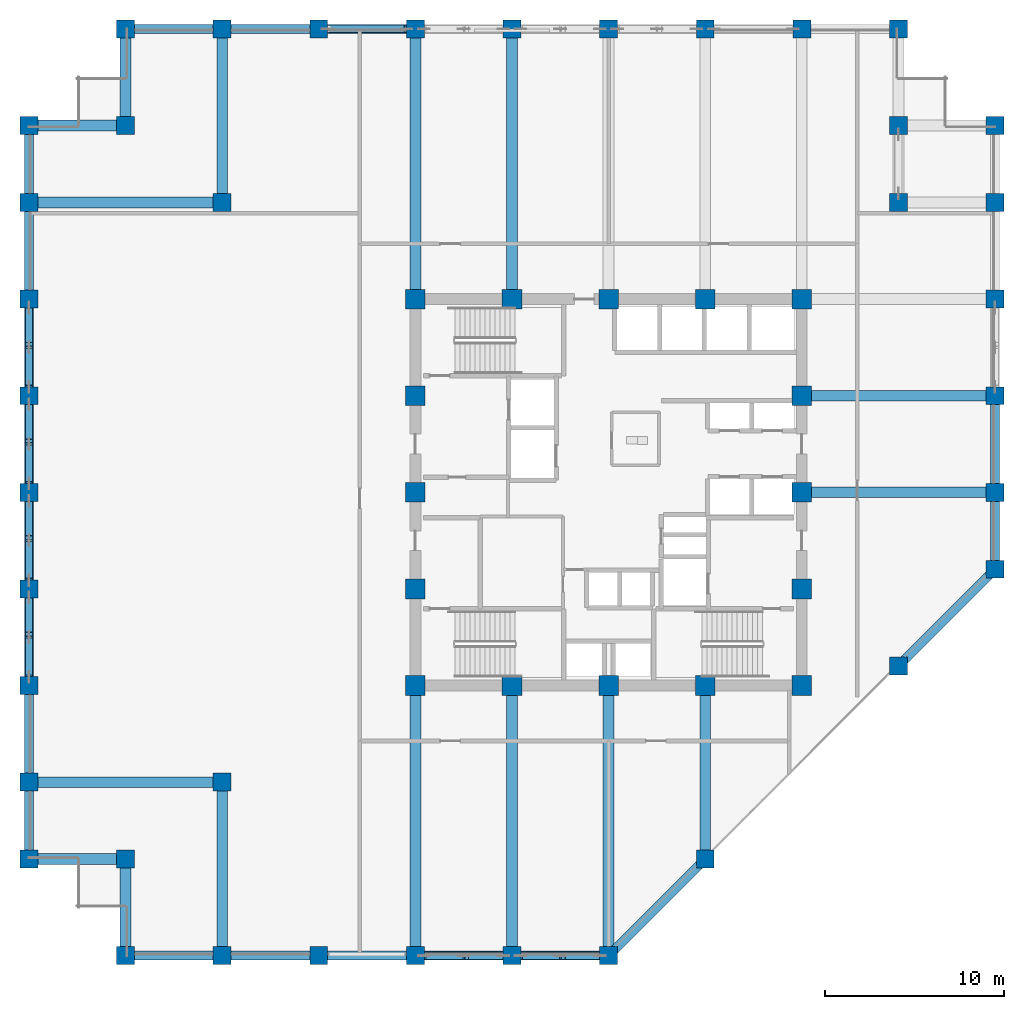
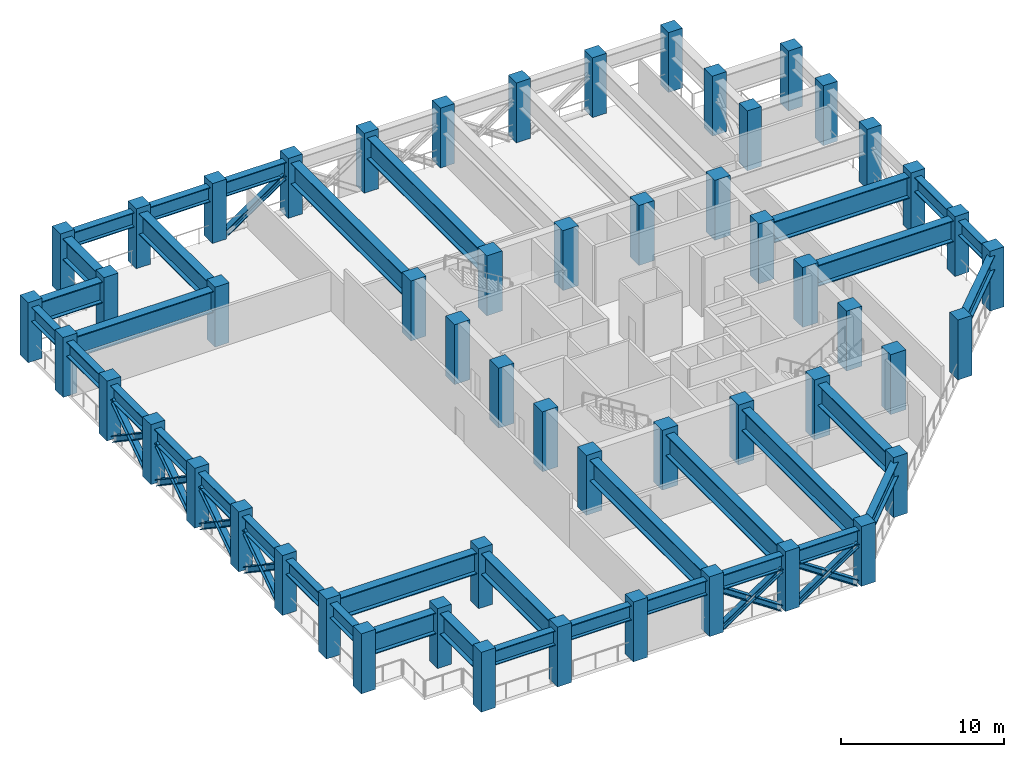
# One storey, part 1 of 12: 54 columns, 36 beams, 19 members.
"""IFC4 building model written with IfcOpenShell, lengths in metres."""

from ifc_helpers import new_model, si_unit, direction, frame, origin, origin_2d, place, context, subcontext, project, spatial, rectangle, i_section, extrude, material, material_profile, profile_set, type_object, element, save


model = new_model("IFC4")

# Units and contexts
model_context = context("Model", 3, precision=1e-05, world=origin(), true_north=direction((0.0, 1.0)))
body_context = subcontext(model_context, "Body", "Model", "MODEL_VIEW")
ifc_project = project(units=[si_unit("LENGTHUNIT", "METRE"), si_unit("AREAUNIT", "SQUARE_METRE"), si_unit("VOLUMEUNIT", "CUBIC_METRE"), si_unit("PLANEANGLEUNIT", "RADIAN"), si_unit("MASSUNIT", "GRAM", prefix="KILO")], contexts=[model_context])

# Site, building, storey
site_placement = place(None, origin())
site = spatial("IfcSite", under=ifc_project, at=site_placement, CompositionType="ELEMENT")
building_placement = place(site_placement, origin())
building = spatial("IfcBuilding", under=site, at=building_placement, Name="Surkhivell Harbour Commons", CompositionType="ELEMENT")
storey_placement = place(building_placement, frame((0.0, 0.0, 166.5)))
storey = spatial("IfcBuildingStorey", under=building, at=storey_placement, Name="L43", CompositionType="ELEMENT", Elevation=166.5)

# Columns
ifc_material_1 = material(Name="Concrete C60/75", Category="concrete")
ifc_material_profile_1 = material_profile(ifc_material_1, rectangle(XDim=1.10009765625, YDim=1.10009765625, at=origin_2d()), Name="RC-COL-1100x1100")
ifc_profile_set_1 = profile_set([ifc_material_profile_1], Name="Concrete C60/75")
column_type_1 = type_object("IfcColumnType", Name="COL-TUBE-Z2A", PredefinedType="COLUMN", material=ifc_profile_set_1)
for number, where, z_axis, x_axis, name in (
    (1, (-10.800048828125, -10.800048828125, 0.0), (0.0, 0.0, 1.0), (1.0, 0.0, 0.0), "L43 Column CT-2A (-10.8,-10.8)"),
    (2, (-10.800048828125, -5.39990234375, 0.0), (0.0, 0.0, 1.0), (1.0, 0.0, 0.0), "L43 Column CT-2A (-10.8,-5.4)"),
    (3, (-10.800048828125, 0.0, 0.0), (0.0, 0.0, 1.0), (1.0, 0.0, 0.0), "L43 Column CT-2A (-10.8,0.0)"),
    (4, (-10.800048828125, 5.39990234375, 0.0), (0.0, 0.0, 1.0), (1.0, 0.0, 0.0), "L43 Column CT-2A (-10.8,5.4)"),
    (5, (-10.800048828125, 10.800048828125, 0.0), (0.0, 0.0, 1.0), (1.0, 0.0, 0.0), "L43 Column CT-2A (-10.8,10.8)"),
    (6, (-5.39990234375, -10.800048828125, 0.0), (0.0, 0.0, 1.0), (1.0, 0.0, 0.0), "L43 Column CT-2A (-5.4,-10.8)"),
    (7, (-5.39990234375, 10.800048828125, 0.0), (0.0, 0.0, 1.0), (1.0, 0.0, 0.0), "L43 Column CT-2A (-5.4,10.8)"),
    (8, (0.0, -10.800048828125, 0.0), (0.0, 0.0, 1.0), (1.0, 0.0, 0.0), "L43 Column CT-2A (0.0,-10.8)"),
    (9, (0.0, 10.800048828125, 0.0), (0.0, 0.0, 1.0), (1.0, 0.0, 0.0), "L43 Column CT-2A (0.0,10.8)"),
    (10, (5.39990234375, -10.800048828125, 0.0), (0.0, 0.0, 1.0), (1.0, 0.0, 0.0), "L43 Column CT-2A (5.4,-10.8)"),
    (11, (5.39990234375, 10.800048828125, 0.0), (0.0, 0.0, 1.0), (1.0, 0.0, 0.0), "L43 Column CT-2A (5.4,10.8)"),
    (12, (10.800048828125, -10.800048828125, 0.0), (0.0, 0.0, 1.0), (1.0, 0.0, 0.0), "L43 Column CT-2A (10.8,-10.8)"),
    (13, (10.800048828125, -5.39990234375, 0.0), (0.0, 0.0, 1.0), (1.0, 0.0, 0.0), "L43 Column CT-2A (10.8,-5.4)"),
    (14, (10.800048828125, 0.0, 0.0), (0.0, 0.0, 1.0), (1.0, 0.0, 0.0), "L43 Column CT-2A (10.8,0.0)"),
    (15, (10.800048828125, 5.39990234375, 0.0), (0.0, 0.0, 1.0), (1.0, 0.0, 0.0), "L43 Column CT-2A (10.8,5.4)"),
    (16, (10.800048828125, 10.800048828125, 0.0), (0.0, 0.0, 1.0), (1.0, 0.0, 0.0), "L43 Column CT-2A (10.8,10.8)"),
):
    element("IfcColumn", number, at=place(storey_placement, frame(where, z_axis=z_axis, x_axis=x_axis)), inside=storey, type_object=column_type_1, Name=name, PredefinedType="COLUMN", context=body_context, shape_type="SweptSolid", body=[
        extrude(rectangle(XDim=1.10009765625, YDim=1.10009765625, at=origin_2d()), origin(), (0.0, 0.0, 1.0), 4.5),
    ])
ifc_material_profile_2 = material_profile(ifc_material_1, rectangle(XDim=1.0, YDim=1.0, at=origin_2d()), Name="RC-COL-1000x1000")
ifc_profile_set_2 = profile_set([ifc_material_profile_2], Name="Concrete C60/75")
column_type_2 = type_object("IfcColumnType", Name="COL-TUBE-Z2B", PredefinedType="COLUMN", material=ifc_profile_set_2)
for number, where, z_axis, x_axis, name in (
    (17, (-32.39990234375, -20.5, 0.0), (0.0, 0.0, 1.0), (1.0, 0.0, 0.0), "L43 Column CT-2B (-32.4,-20.5)"),
    (18, (-32.39990234375, -16.199951171875, 0.0), (0.0, 0.0, 1.0), (1.0, 0.0, 0.0), "L43 Column CT-2B (-32.4,-16.2)"),
    (19, (-32.39990234375, -10.800048828125, 0.0), (0.0, 0.0, 1.0), (1.0, 0.0, 0.0), "L43 Column CT-2B (-32.4,-10.8)"),
    (20, (-32.39990234375, -5.39990234375, 0.0), (0.0, 0.0, 1.0), (1.0, 0.0, 0.0), "L43 Column CT-2B (-32.4,-5.4)"),
    (21, (-32.39990234375, 0.0, 0.0), (0.0, 0.0, 1.0), (1.0, 0.0, 0.0), "L43 Column CT-2B (-32.4,0.0)"),
    (22, (-32.39990234375, 5.39990234375, 0.0), (0.0, 0.0, 1.0), (1.0, 0.0, 0.0), "L43 Column CT-2B (-32.4,5.4)"),
    (23, (-32.39990234375, 10.800048828125, 0.0), (0.0, 0.0, 1.0), (1.0, 0.0, 0.0), "L43 Column CT-2B (-32.4,10.8)"),
    (24, (-32.39990234375, 16.199951171875, 0.0), (0.0, 0.0, 1.0), (1.0, 0.0, 0.0), "L43 Column CT-2B (-32.4,16.2)"),
    (25, (-32.39990234375, 20.5, 0.0), (0.0, 0.0, 1.0), (1.0, 0.0, 0.0), "L43 Column CT-2B (-32.4,20.5)"),
    (26, (-27.0, -25.89990234375, 0.0), (0.0, 0.0, 1.0), (1.0, 0.0, 0.0), "L43 Column CT-2B (-27.0,-25.9)"),
    (27, (-27.0, -20.5, 0.0), (0.0, 0.0, 1.0), (1.0, 0.0, 0.0), "L43 Column CT-2B (-27.0,-20.5)"),
    (28, (-27.0, 20.5, 0.0), (0.0, 0.0, 1.0), (1.0, 0.0, 0.0), "L43 Column CT-2B (-27.0,20.5)"),
    (29, (-27.0, 25.89990234375, 0.0), (0.0, 0.0, 1.0), (1.0, 0.0, 0.0), "L43 Column CT-2B (-27.0,25.9)"),
    (30, (-21.60009765625, -25.89990234375, 0.0), (0.0, 0.0, 1.0), (1.0, 0.0, 0.0), "L43 Column CT-2B (-21.6,-25.9)"),
    (31, (-21.60009765625, -16.199951171875, 0.0), (0.0, 0.0, 1.0), (1.0, 0.0, 0.0), "L43 Column CT-2B (-21.6,-16.2)"),
    (32, (-21.60009765625, 16.199951171875, 0.0), (0.0, 0.0, 1.0), (1.0, 0.0, 0.0), "L43 Column CT-2B (-21.6,16.2)"),
    (33, (-21.60009765625, 25.89990234375, 0.0), (0.0, 0.0, 1.0), (1.0, 0.0, 0.0), "L43 Column CT-2B (-21.6,25.9)"),
    (34, (-16.199951171875, -25.89990234375, 0.0), (0.0, 0.0, 1.0), (1.0, 0.0, 0.0), "L43 Column CT-2B (-16.2,-25.9)"),
    (35, (-16.199951171875, 25.89990234375, 0.0), (0.0, 0.0, 1.0), (1.0, 0.0, 0.0), "L43 Column CT-2B (-16.2,25.9)"),
    (36, (-10.800048828125, -25.89990234375, 0.0), (0.0, 0.0, 1.0), (1.0, 0.0, 0.0), "L43 Column CT-2B (-10.8,-25.9)"),
    (37, (-10.800048828125, 25.89990234375, 0.0), (0.0, 0.0, 1.0), (1.0, 0.0, 0.0), "L43 Column CT-2B (-10.8,25.9)"),
    (38, (-5.39990234375, -25.89990234375, 0.0), (0.0, 0.0, 1.0), (1.0, 0.0, 0.0), "L43 Column CT-2B (-5.4,-25.9)"),
    (39, (-5.39990234375, 25.89990234375, 0.0), (0.0, 0.0, 1.0), (1.0, 0.0, 0.0), "L43 Column CT-2B (-5.4,25.9)"),
    (40, (0.0, -25.89990234375, 0.0), (0.0, 0.0, 1.0), (1.0, 0.0, 0.0), "L43 Column CT-2B (-0.0,-25.9)"),
    (41, (0.0, 25.89990234375, 0.0), (0.0, 0.0, 1.0), (1.0, 0.0, 0.0), "L43 Column CT-2B (-0.0,25.9)"),
    (42, (5.39990234375, -20.5, 0.0), (0.0, 0.0, 1.0), (1.0, 0.0, 0.0), "L43 Column CT-2B (5.4,-20.5)"),
    (43, (5.39990234375, 25.89990234375, 0.0), (0.0, 0.0, 1.0), (1.0, 0.0, 0.0), "L43 Column CT-2B (5.4,25.9)"),
    (44, (10.800048828125, 25.89990234375, 0.0), (0.0, 0.0, 1.0), (1.0, 0.0, 0.0), "L43 Column CT-2B (10.8,25.9)"),
    (45, (16.199951171875, -9.699951171875, 0.0), (0.0, 0.0, 1.0), (1.0, 0.0, 0.0), "L43 Column CT-2B (16.2,-9.7)"),
    (46, (16.199951171875, 16.199951171875, 0.0), (0.0, 0.0, 1.0), (1.0, 0.0, 0.0), "L43 Column CT-2B (16.2,16.2)"),
    (47, (16.199951171875, 20.5, 0.0), (0.0, 0.0, 1.0), (1.0, 0.0, 0.0), "L43 Column CT-2B (16.2,20.5)"),
    (48, (16.199951171875, 25.89990234375, 0.0), (0.0, 0.0, 1.0), (1.0, 0.0, 0.0), "L43 Column CT-2B (16.2,25.9)"),
    (49, (21.60009765625, -4.300048828125, 0.0), (0.0, 0.0, 1.0), (1.0, 0.0, 0.0), "L43 Column CT-2B (21.6,-4.3)"),
    (50, (21.60009765625, 0.0, 0.0), (0.0, 0.0, 1.0), (1.0, 0.0, 0.0), "L43 Column CT-2B (21.6,0.0)"),
    (51, (21.60009765625, 5.39990234375, 0.0), (0.0, 0.0, 1.0), (1.0, 0.0, 0.0), "L43 Column CT-2B (21.6,5.4)"),
    (52, (21.60009765625, 10.800048828125, 0.0), (0.0, 0.0, 1.0), (1.0, 0.0, 0.0), "L43 Column CT-2B (21.6,10.8)"),
    (53, (21.60009765625, 16.199951171875, 0.0), (0.0, 0.0, 1.0), (1.0, 0.0, 0.0), "L43 Column CT-2B (21.6,16.2)"),
    (54, (21.60009765625, 20.5, 0.0), (0.0, 0.0, 1.0), (1.0, 0.0, 0.0), "L43 Column CT-2B (21.6,20.5)"),
):
    element("IfcColumn", number, at=place(storey_placement, frame(where, z_axis=z_axis, x_axis=x_axis)), inside=storey, type_object=column_type_2, Name=name, PredefinedType="COLUMN", context=body_context, shape_type="SweptSolid", body=[
        extrude(rectangle(XDim=1.0, YDim=1.0, at=origin_2d()), origin(), (0.0, 0.0, 1.0), 4.5),
    ])

# Beams
ifc_material_2 = material(Name="Steel S460", Category="steel")
ifc_material_profile_3 = material_profile(ifc_material_2, i_section(OverallWidth=0.5, OverallDepth=1.10009765625, WebThickness=0.028076171875, FlangeThickness=0.054931640625, at=origin_2d()), Name="WPG1100x500x210")
ifc_profile_set_3 = profile_set([ifc_material_profile_3], Name="Steel S460")
beam_type_1 = type_object("IfcBeamType", Name="BM-BLT-1100", PredefinedType="BEAM", material=ifc_profile_set_3)
beam_1_placement = place(storey_placement, frame((-32.39990234375, -20.5, 3.530029296875), z_axis=(0.0, 1.0, 0.0), x_axis=(-1.0, 0.0, 0.0)))
element("IfcBeam", 55, at=beam_1_placement, inside=storey, type_object=beam_type_1, Name="L43 Tube Spandrel (-32.4,-20.5)", PredefinedType="BEAM", context=body_context, shape_type="SweptSolid", body=[
    extrude(i_section(OverallWidth=0.5, OverallDepth=1.10009765625, WebThickness=0.028076171875, FlangeThickness=0.054931640625, at=origin_2d()), origin(), (0.0, 0.0, 1.0), 4.300048828125),
])
beam_2_placement = place(storey_placement, frame((-32.39990234375, -16.199951171875, 3.530029296875), z_axis=(0.0, 1.0, 0.0), x_axis=(-1.0, 0.0, 0.0)))
element("IfcBeam", 56, at=beam_2_placement, inside=storey, type_object=beam_type_1, Name="L43 Tube Spandrel (-32.4,-16.2)", PredefinedType="BEAM", context=body_context, shape_type="SweptSolid", body=[
    extrude(i_section(OverallWidth=0.5, OverallDepth=1.10009765625, WebThickness=0.028076171875, FlangeThickness=0.054931640625, at=origin_2d()), origin(), (0.0, 0.0, 1.0), 5.39990234375),
])
beam_3_placement = place(storey_placement, frame((-32.39990234375, -10.800048828125, 3.530029296875), z_axis=(0.0, 1.0, 0.0), x_axis=(-1.0, 0.0, 0.0)))
element("IfcBeam", 57, at=beam_3_placement, inside=storey, type_object=beam_type_1, Name="L43 Tube Spandrel (-32.4,-10.8)", PredefinedType="BEAM", context=body_context, shape_type="SweptSolid", body=[
    extrude(i_section(OverallWidth=0.5, OverallDepth=1.10009765625, WebThickness=0.028076171875, FlangeThickness=0.054931640625, at=origin_2d()), origin(), (0.0, 0.0, 1.0), 5.400146484375),
])
for number, where, z_axis, x_axis, name in (
    (58, (-32.39990234375, -5.39990234375, 3.530029296875), (0.0, 1.0, 0.0), (-1.0, 0.0, 0.0), "L43 Tube Spandrel (-32.4,-5.4)"),
    (59, (-32.39990234375, 0.0, 3.530029296875), (0.0, 1.0, 0.0), (-1.0, 0.0, 0.0), "L43 Tube Spandrel (-32.4,0.0)"),
):
    element("IfcBeam", number, at=place(storey_placement, frame(where, z_axis=z_axis, x_axis=x_axis)), inside=storey, type_object=beam_type_1, Name=name, PredefinedType="BEAM", context=body_context, shape_type="SweptSolid", body=[
        extrude(i_section(OverallWidth=0.5, OverallDepth=1.10009765625, WebThickness=0.028076171875, FlangeThickness=0.054931640625, at=origin_2d()), origin(), (0.0, 0.0, 1.0), 5.39990234375),
    ])
beam_4_placement = place(storey_placement, frame((-32.39990234375, 5.39990234375, 3.530029296875), z_axis=(0.0, 1.0, 0.0), x_axis=(-1.0, 0.0, 0.0)))
element("IfcBeam", 60, at=beam_4_placement, inside=storey, type_object=beam_type_1, Name="L43 Tube Spandrel (-32.4,5.4)", PredefinedType="BEAM", context=body_context, shape_type="SweptSolid", body=[
    extrude(i_section(OverallWidth=0.5, OverallDepth=1.10009765625, WebThickness=0.028076171875, FlangeThickness=0.054931640625, at=origin_2d()), origin(), (0.0, 0.0, 1.0), 5.400146484375),
])
beam_5_placement = place(storey_placement, frame((-32.39990234375, 10.800048828125, 3.530029296875), z_axis=(0.0, 1.0, 0.0), x_axis=(-1.0, 0.0, 0.0)))
element("IfcBeam", 61, at=beam_5_placement, inside=storey, type_object=beam_type_1, Name="L43 Tube Spandrel (-32.4,10.8)", PredefinedType="BEAM", context=body_context, shape_type="SweptSolid", body=[
    extrude(i_section(OverallWidth=0.5, OverallDepth=1.10009765625, WebThickness=0.028076171875, FlangeThickness=0.054931640625, at=origin_2d()), origin(), (0.0, 0.0, 1.0), 5.39990234375),
])
beam_6_placement = place(storey_placement, frame((-32.39990234375, 16.199951171875, 3.530029296875), z_axis=(0.0, 1.0, 0.0), x_axis=(-1.0, 0.0, 0.0)))
element("IfcBeam", 62, at=beam_6_placement, inside=storey, type_object=beam_type_1, Name="L43 Tube Spandrel (-32.4,16.2)", PredefinedType="BEAM", context=body_context, shape_type="SweptSolid", body=[
    extrude(i_section(OverallWidth=0.5, OverallDepth=1.10009765625, WebThickness=0.028076171875, FlangeThickness=0.054931640625, at=origin_2d()), origin(), (0.0, 0.0, 1.0), 4.300048828125),
])
for number, where, z_axis, x_axis, name in (
    (63, (-27.0, -25.89990234375, 3.530029296875), (1.0, 0.0, 0.0), (0.0, 1.0, 0.0), "L43 Tube Spandrel (-27.0,-25.9)"),
    (64, (-27.0, 25.89990234375, 3.530029296875), (1.0, 0.0, 0.0), (0.0, 1.0, 0.0), "L43 Tube Spandrel (-27.0,25.9)"),
):
    element("IfcBeam", number, at=place(storey_placement, frame(where, z_axis=z_axis, x_axis=x_axis)), inside=storey, type_object=beam_type_1, Name=name, PredefinedType="BEAM", context=body_context, shape_type="SweptSolid", body=[
        extrude(i_section(OverallWidth=0.5, OverallDepth=1.10009765625, WebThickness=0.028076171875, FlangeThickness=0.054931640625, at=origin_2d()), origin(), (0.0, 0.0, 1.0), 5.39990234375),
    ])
for number, where, z_axis, x_axis, name in (
    (65, (-21.60009765625, -25.89990234375, 3.530029296875), (1.0, 0.0, 0.0), (0.0, 1.0, 0.0), "L43 Tube Spandrel (-21.6,-25.9)"),
    (66, (-21.60009765625, 25.89990234375, 3.530029296875), (1.0, 0.0, 0.0), (0.0, 1.0, 0.0), "L43 Tube Spandrel (-21.6,25.9)"),
):
    element("IfcBeam", number, at=place(storey_placement, frame(where, z_axis=z_axis, x_axis=x_axis)), inside=storey, type_object=beam_type_1, Name=name, PredefinedType="BEAM", context=body_context, shape_type="SweptSolid", body=[
        extrude(i_section(OverallWidth=0.5, OverallDepth=1.10009765625, WebThickness=0.028076171875, FlangeThickness=0.054931640625, at=origin_2d()), origin(), (0.0, 0.0, 1.0), 5.400146484375),
    ])
for number, where, z_axis, x_axis, name in (
    (67, (-16.199951171875, -25.89990234375, 3.530029296875), (1.0, 0.0, 0.0), (0.0, 1.0, 0.0), "L43 Tube Spandrel (-16.2,-25.9)"),
    (68, (-16.199951171875, 25.89990234375, 3.530029296875), (1.0, 0.0, 0.0), (0.0, 1.0, 0.0), "L43 Tube Spandrel (-16.2,25.9)"),
):
    element("IfcBeam", number, at=place(storey_placement, frame(where, z_axis=z_axis, x_axis=x_axis)), inside=storey, type_object=beam_type_1, Name=name, PredefinedType="BEAM", context=body_context, shape_type="SweptSolid", body=[
        extrude(i_section(OverallWidth=0.5, OverallDepth=1.10009765625, WebThickness=0.028076171875, FlangeThickness=0.054931640625, at=origin_2d()), origin(), (0.0, 0.0, 1.0), 5.39990234375),
    ])
beam_7_placement = place(storey_placement, frame((-10.800048828125, -25.89990234375, 3.530029296875), z_axis=(1.0, 0.0, 0.0), x_axis=(0.0, 1.0, 0.0)))
element("IfcBeam", 69, at=beam_7_placement, inside=storey, type_object=beam_type_1, Name="L43 Tube Spandrel (-10.8,-25.9)", PredefinedType="BEAM", context=body_context, shape_type="SweptSolid", body=[
    extrude(i_section(OverallWidth=0.5, OverallDepth=1.10009765625, WebThickness=0.028076171875, FlangeThickness=0.054931640625, at=origin_2d()), origin(), (0.0, 0.0, 1.0), 5.400146484375),
])
beam_8_placement = place(storey_placement, frame((-5.39990234375, -25.89990234375, 3.530029296875), z_axis=(1.0, 0.0, 0.0), x_axis=(0.0, 1.0, 0.0)))
element("IfcBeam", 70, at=beam_8_placement, inside=storey, type_object=beam_type_1, Name="L43 Tube Spandrel (-5.4,-25.9)", PredefinedType="BEAM", context=body_context, shape_type="SweptSolid", body=[
    extrude(i_section(OverallWidth=0.5, OverallDepth=1.10009765625, WebThickness=0.028076171875, FlangeThickness=0.054931640625, at=origin_2d()), origin(), (0.0, 0.0, 1.0), 5.39990234375),
])
for number, where, z_axis, x_axis, name in (
    (71, (0.0, -25.89990234375, 3.530029296875), (0.707106781187, 0.707106781187, 0.0), (-0.707106781187, 0.707106781187, 0.0), "L43 Tube Spandrel (-0.0,-25.9)"),
    (72, (16.199951171875, -9.699951171875, 3.530029296875), (0.707122765516, 0.707090796496, 0.0), (-0.707090796496, 0.707122765516, 0.0), "L43 Tube Spandrel (16.2,-9.7)"),
):
    element("IfcBeam", number, at=place(storey_placement, frame(where, z_axis=z_axis, x_axis=x_axis)), inside=storey, type_object=beam_type_1, Name=name, PredefinedType="BEAM", context=body_context, shape_type="SweptSolid", body=[
        extrude(i_section(OverallWidth=0.5, OverallDepth=1.10009765625, WebThickness=0.028076171875, FlangeThickness=0.054931640625, at=origin_2d()), origin(), (0.0, 0.0, 1.0), 7.63671875),
    ])
beam_9_placement = place(storey_placement, frame((21.60009765625, -4.300048828125, 3.530029296875), z_axis=(0.0, 1.0, 0.0), x_axis=(-1.0, 0.0, 0.0)))
element("IfcBeam", 73, at=beam_9_placement, inside=storey, type_object=beam_type_1, Name="L43 Tube Spandrel (21.6,-4.3)", PredefinedType="BEAM", context=body_context, shape_type="SweptSolid", body=[
    extrude(i_section(OverallWidth=0.5, OverallDepth=1.10009765625, WebThickness=0.028076171875, FlangeThickness=0.054931640625, at=origin_2d()), origin(), (0.0, 0.0, 1.0), 4.300048828125),
])
beam_10_placement = place(storey_placement, frame((21.60009765625, 0.0, 3.530029296875), z_axis=(0.0, 1.0, 0.0), x_axis=(-1.0, 0.0, 0.0)))
element("IfcBeam", 74, at=beam_10_placement, inside=storey, type_object=beam_type_1, Name="L43 Tube Spandrel (21.6,0.0)", PredefinedType="BEAM", context=body_context, shape_type="SweptSolid", body=[
    extrude(i_section(OverallWidth=0.5, OverallDepth=1.10009765625, WebThickness=0.028076171875, FlangeThickness=0.054931640625, at=origin_2d()), origin(), (0.0, 0.0, 1.0), 5.39990234375),
])
ifc_material_profile_4 = material_profile(ifc_material_2, i_section(OverallWidth=0.60009765625, OverallDepth=1.60009765625, WebThickness=0.035888671875, FlangeThickness=0.06494140625, at=origin_2d()), Name="WPG1600x600x296")
ifc_profile_set_4 = profile_set([ifc_material_profile_4], Name="Steel S460")
beam_type_2 = type_object("IfcBeamType", Name="BM-TRF-1600", PredefinedType="BEAM", material=ifc_profile_set_4)
beam_11_placement = place(storey_placement, frame((-32.39990234375, -20.5, 3.280029296875), z_axis=(1.0, 0.0, 0.0), x_axis=(0.0, 1.0, 0.0)))
element("IfcBeam", 75, at=beam_11_placement, inside=storey, type_object=beam_type_2, Name="L43 Floor Girder (-32.4,-20.5)", PredefinedType="BEAM", context=body_context, shape_type="SweptSolid", body=[
    extrude(i_section(OverallWidth=0.60009765625, OverallDepth=1.60009765625, WebThickness=0.035888671875, FlangeThickness=0.06494140625, at=origin_2d()), origin(), (0.0, 0.0, 1.0), 5.39990234375),
])
for number, where, z_axis, x_axis, name in (
    (76, (-32.39990234375, -16.199951171875, 3.280029296875), (1.0, 0.0, 0.0), (0.0, 1.0, 0.0), "L43 Floor Girder (-32.4,-16.2)"),
    (77, (-32.39990234375, 16.199951171875, 3.280029296875), (1.0, 0.0, 0.0), (0.0, 1.0, 0.0), "L43 Floor Girder (-32.4,16.2)"),
):
    element("IfcBeam", number, at=place(storey_placement, frame(where, z_axis=z_axis, x_axis=x_axis)), inside=storey, type_object=beam_type_2, Name=name, PredefinedType="BEAM", context=body_context, shape_type="SweptSolid", body=[
        extrude(i_section(OverallWidth=0.60009765625, OverallDepth=1.60009765625, WebThickness=0.035888671875, FlangeThickness=0.06494140625, at=origin_2d()), origin(), (0.0, 0.0, 1.0), 10.7998046875),
    ])
for number, where, z_axis, x_axis, name in (
    (78, (-32.39990234375, 20.5, 3.280029296875), (1.0, 0.0, 0.0), (0.0, 1.0, 0.0), "L43 Floor Girder (-32.4,20.5)"),
    (79, (-27.0, -25.89990234375, 3.280029296875), (0.0, 1.0, 0.0), (-1.0, 0.0, 0.0), "L43 Floor Girder (-27.0,-25.9)"),
    (80, (-27.0, 20.5, 3.280029296875), (0.0, 1.0, 0.0), (-1.0, 0.0, 0.0), "L43 Floor Girder (-27.0,20.5)"),
):
    element("IfcBeam", number, at=place(storey_placement, frame(where, z_axis=z_axis, x_axis=x_axis)), inside=storey, type_object=beam_type_2, Name=name, PredefinedType="BEAM", context=body_context, shape_type="SweptSolid", body=[
        extrude(i_section(OverallWidth=0.60009765625, OverallDepth=1.60009765625, WebThickness=0.035888671875, FlangeThickness=0.06494140625, at=origin_2d()), origin(), (0.0, 0.0, 1.0), 5.39990234375),
    ])
for number, where, z_axis, x_axis, name in (
    (81, (-21.60009765625, -25.89990234375, 3.280029296875), (0.0, 1.0, 0.0), (-1.0, 0.0, 0.0), "L43 Floor Girder (-21.6,-25.9)"),
    (82, (-21.60009765625, 16.199951171875, 3.280029296875), (0.0, 1.0, 0.0), (-1.0, 0.0, 0.0), "L43 Floor Girder (-21.6,16.2)"),
):
    element("IfcBeam", number, at=place(storey_placement, frame(where, z_axis=z_axis, x_axis=x_axis)), inside=storey, type_object=beam_type_2, Name=name, PredefinedType="BEAM", context=body_context, shape_type="SweptSolid", body=[
        extrude(i_section(OverallWidth=0.60009765625, OverallDepth=1.60009765625, WebThickness=0.035888671875, FlangeThickness=0.06494140625, at=origin_2d()), origin(), (0.0, 0.0, 1.0), 9.699951171875),
    ])
for number, where, z_axis, x_axis, name in (
    (83, (-10.800048828125, -25.89990234375, 3.280029296875), (0.0, 1.0, 0.0), (-1.0, 0.0, 0.0), "L43 Floor Girder (-10.8,-25.9)"),
    (84, (-10.800048828125, 10.800048828125, 3.280029296875), (0.0, 1.0, 0.0), (-1.0, 0.0, 0.0), "L43 Floor Girder (-10.8,10.8)"),
    (85, (-5.39990234375, -25.89990234375, 3.280029296875), (0.0, 1.0, 0.0), (-1.0, 0.0, 0.0), "L43 Floor Girder (-5.4,-25.9)"),
    (86, (-5.39990234375, 10.800048828125, 3.280029296875), (0.0, 1.0, 0.0), (-1.0, 0.0, 0.0), "L43 Floor Girder (-5.4,10.8)"),
    (87, (0.0, -25.89990234375, 3.280029296875), (0.0, 1.0, 0.0), (-1.0, 0.0, 0.0), "L43 Floor Girder (0.0,-25.9)"),
):
    element("IfcBeam", number, at=place(storey_placement, frame(where, z_axis=z_axis, x_axis=x_axis)), inside=storey, type_object=beam_type_2, Name=name, PredefinedType="BEAM", context=body_context, shape_type="SweptSolid", body=[
        extrude(i_section(OverallWidth=0.60009765625, OverallDepth=1.60009765625, WebThickness=0.035888671875, FlangeThickness=0.06494140625, at=origin_2d()), origin(), (0.0, 0.0, 1.0), 15.099853515625),
    ])
beam_12_placement = place(storey_placement, frame((5.39990234375, -20.5, 3.280029296875), z_axis=(0.0, 1.0, 0.0), x_axis=(-1.0, 0.0, 0.0)))
element("IfcBeam", 88, at=beam_12_placement, inside=storey, type_object=beam_type_2, Name="L43 Floor Girder (5.4,-20.5)", PredefinedType="BEAM", context=body_context, shape_type="SweptSolid", body=[
    extrude(i_section(OverallWidth=0.60009765625, OverallDepth=1.60009765625, WebThickness=0.035888671875, FlangeThickness=0.06494140625, at=origin_2d()), origin(), (0.0, 0.0, 1.0), 9.699951171875),
])
for number, where, z_axis, x_axis, name in (
    (89, (10.800048828125, 0.0, 3.280029296875), (1.0, 0.0, 0.0), (0.0, 1.0, 0.0), "L43 Floor Girder (10.8,0.0)"),
    (90, (10.800048828125, 5.39990234375, 3.280029296875), (1.0, 0.0, 0.0), (0.0, 1.0, 0.0), "L43 Floor Girder (10.8,5.4)"),
):
    element("IfcBeam", number, at=place(storey_placement, frame(where, z_axis=z_axis, x_axis=x_axis)), inside=storey, type_object=beam_type_2, Name=name, PredefinedType="BEAM", context=body_context, shape_type="SweptSolid", body=[
        extrude(i_section(OverallWidth=0.60009765625, OverallDepth=1.60009765625, WebThickness=0.035888671875, FlangeThickness=0.06494140625, at=origin_2d()), origin(), (0.0, 0.0, 1.0), 10.800048828125),
    ])

# Members
ifc_material_profile_5 = material_profile(ifc_material_2, i_section(OverallWidth=0.406005859375, OverallDepth=0.416015625, WebThickness=0.026611328125, FlangeThickness=0.0390625, at=origin_2d()), Name="HD400x382")
ifc_profile_set_5 = profile_set([ifc_material_profile_5], Name="Steel S460")
member_type_1 = type_object("IfcMemberType", Name="MEM-BLT-BT1", PredefinedType="BRACE", material=ifc_profile_set_5)
member_1_placement = place(storey_placement, frame((-32.39990234375, -4.9150390625, 0.008056640625), z_axis=(0.0, 0.830095591103, 0.557621116558), x_axis=(-1.0, 0.0, 0.0)))
element("IfcMember", 91, at=member_1_placement, inside=storey, type_object=member_type_1, Name="L43 Belt-Truss Diagonal BT- 01", PredefinedType="BRACE", context=body_context, shape_type="SweptSolid", body=[
    extrude(i_section(OverallWidth=0.406005859375, OverallDepth=0.416015625, WebThickness=0.026611328125, FlangeThickness=0.0390625, at=origin_2d()), origin(), (0.0, 0.0, 1.0), 5.336669921875),
])
member_2_placement = place(storey_placement, frame((-32.39990234375, -0.485107421875, 0.008056640625), z_axis=(0.0, -0.830097526261, 0.557618235799), x_axis=(1.0, 0.0, 0.0)))
element("IfcMember", 92, at=member_2_placement, inside=storey, type_object=member_type_1, Name="L43 Belt-Truss Diagonal BT- 02", PredefinedType="BRACE", context=body_context, shape_type="SweptSolid", body=[
    extrude(i_section(OverallWidth=0.406005859375, OverallDepth=0.416015625, WebThickness=0.026611328125, FlangeThickness=0.0390625, at=origin_2d()), origin(), (0.0, 0.0, 1.0), 2.468505859375),
])
member_3_placement = place(storey_placement, frame((-32.39990234375, -2.86572265625, 1.607421875), z_axis=(0.0, -0.830128275357, 0.557572458478), x_axis=(1.0, 0.0, 0.0)))
element("IfcMember", 93, at=member_3_placement, inside=storey, type_object=member_type_1, Name="L43 Belt-Truss Diagonal BT- 03", PredefinedType="BRACE", context=body_context, shape_type="SweptSolid", body=[
    extrude(i_section(OverallWidth=0.406005859375, OverallDepth=0.416015625, WebThickness=0.026611328125, FlangeThickness=0.0390625, at=origin_2d()), origin(), (0.0, 0.0, 1.0), 2.46875),
])
member_4_placement = place(storey_placement, frame((-32.39990234375, 0.485107421875, 0.008056640625), z_axis=(0.0, 0.830095591103, 0.557621116558), x_axis=(-1.0, 0.0, 0.0)))
element("IfcMember", 94, at=member_4_placement, inside=storey, type_object=member_type_1, Name="L43 Belt-Truss Diagonal BT- 04", PredefinedType="BRACE", context=body_context, shape_type="SweptSolid", body=[
    extrude(i_section(OverallWidth=0.406005859375, OverallDepth=0.416015625, WebThickness=0.026611328125, FlangeThickness=0.0390625, at=origin_2d()), origin(), (0.0, 0.0, 1.0), 5.336669921875),
])
member_5_placement = place(storey_placement, frame((-32.39990234375, 4.9150390625, 0.008056640625), z_axis=(0.0, -0.830128275357, 0.557572458478), x_axis=(1.0, 0.0, 0.0)))
element("IfcMember", 95, at=member_5_placement, inside=storey, type_object=member_type_1, Name="L43 Belt-Truss Diagonal BT- 05", PredefinedType="BRACE", context=body_context, shape_type="SweptSolid", body=[
    extrude(i_section(OverallWidth=0.406005859375, OverallDepth=0.416015625, WebThickness=0.026611328125, FlangeThickness=0.0390625, at=origin_2d()), origin(), (0.0, 0.0, 1.0), 2.46875),
])
member_6_placement = place(storey_placement, frame((-32.39990234375, 2.5341796875, 1.607421875), z_axis=(0.0, -0.830097526261, 0.557618235799), x_axis=(1.0, 0.0, 0.0)))
element("IfcMember", 96, at=member_6_placement, inside=storey, type_object=member_type_1, Name="L43 Belt-Truss Diagonal BT- 06", PredefinedType="BRACE", context=body_context, shape_type="SweptSolid", body=[
    extrude(i_section(OverallWidth=0.406005859375, OverallDepth=0.416015625, WebThickness=0.026611328125, FlangeThickness=0.0390625, at=origin_2d()), origin(), (0.0, 0.0, 1.0), 2.468505859375),
])
member_7_placement = place(storey_placement, frame((-10.31494140625, -25.89990234375, 0.008056640625), z_axis=(0.830095591103, 0.0, 0.557621116558), x_axis=(0.0, 1.0, 0.0)))
element("IfcMember", 97, at=member_7_placement, inside=storey, type_object=member_type_1, Name="L43 Belt-Truss Diagonal BT- 13", PredefinedType="BRACE", context=body_context, shape_type="SweptSolid", body=[
    extrude(i_section(OverallWidth=0.406005859375, OverallDepth=0.416015625, WebThickness=0.026611328125, FlangeThickness=0.0390625, at=origin_2d()), origin(), (0.0, 0.0, 1.0), 5.336669921875),
])
for number, where, z_axis, x_axis, name in (
    (98, (-5.885009765625, -25.89990234375, 0.008056640625), (-0.830097526261, 0.0, 0.557618235799), (0.0, -1.0, 0.0), "L43 Belt-Truss Diagonal BT- 14"),
    (99, (-8.265869140625, -25.89990234375, 1.607421875), (-0.830097526261, 0.0, 0.557618235799), (0.0, -1.0, 0.0), "L43 Belt-Truss Diagonal BT- 15"),
):
    element("IfcMember", number, at=place(storey_placement, frame(where, z_axis=z_axis, x_axis=x_axis)), inside=storey, type_object=member_type_1, Name=name, PredefinedType="BRACE", context=body_context, shape_type="SweptSolid", body=[
        extrude(i_section(OverallWidth=0.406005859375, OverallDepth=0.416015625, WebThickness=0.026611328125, FlangeThickness=0.0390625, at=origin_2d()), origin(), (0.0, 0.0, 1.0), 2.468505859375),
    ])
member_8_placement = place(storey_placement, frame((-4.9150390625, -25.89990234375, 0.008056640625), z_axis=(0.830095591103, 0.0, 0.557621116558), x_axis=(0.0, 1.0, 0.0)))
element("IfcMember", 100, at=member_8_placement, inside=storey, type_object=member_type_1, Name="L43 Belt-Truss Diagonal BT- 16", PredefinedType="BRACE", context=body_context, shape_type="SweptSolid", body=[
    extrude(i_section(OverallWidth=0.406005859375, OverallDepth=0.416015625, WebThickness=0.026611328125, FlangeThickness=0.0390625, at=origin_2d()), origin(), (0.0, 0.0, 1.0), 5.336669921875),
])
member_9_placement = place(storey_placement, frame((-0.485107421875, -25.89990234375, 0.008056640625), z_axis=(-0.830097526261, 0.0, 0.557618235799), x_axis=(0.0, -1.0, 0.0)))
element("IfcMember", 101, at=member_9_placement, inside=storey, type_object=member_type_1, Name="L43 Belt-Truss Diagonal BT- 17", PredefinedType="BRACE", context=body_context, shape_type="SweptSolid", body=[
    extrude(i_section(OverallWidth=0.406005859375, OverallDepth=0.416015625, WebThickness=0.026611328125, FlangeThickness=0.0390625, at=origin_2d()), origin(), (0.0, 0.0, 1.0), 2.468505859375),
])
member_10_placement = place(storey_placement, frame((-2.86572265625, -25.89990234375, 1.607421875), z_axis=(-0.830128275357, 0.0, 0.557572458478), x_axis=(0.0, -1.0, 0.0)))
element("IfcMember", 102, at=member_10_placement, inside=storey, type_object=member_type_1, Name="L43 Belt-Truss Diagonal BT- 18", PredefinedType="BRACE", context=body_context, shape_type="SweptSolid", body=[
    extrude(i_section(OverallWidth=0.406005859375, OverallDepth=0.416015625, WebThickness=0.026611328125, FlangeThickness=0.0390625, at=origin_2d()), origin(), (0.0, 0.0, 1.0), 2.46875),
])
member_11_placement = place(storey_placement, frame((-32.39990234375, -10.31494140625, 0.008056640625), z_axis=(0.0, 0.830095591103, 0.557621116558), x_axis=(-1.0, 0.0, 0.0)))
element("IfcMember", 103, at=member_11_placement, inside=storey, type_object=member_type_1, Name="L43 Belt-Truss Diagonal BT- 25", PredefinedType="BRACE", context=body_context, shape_type="SweptSolid", body=[
    extrude(i_section(OverallWidth=0.406005859375, OverallDepth=0.416015625, WebThickness=0.026611328125, FlangeThickness=0.0390625, at=origin_2d()), origin(), (0.0, 0.0, 1.0), 5.336669921875),
])
for number, where, z_axis, x_axis, name in (
    (104, (-32.39990234375, -5.885009765625, 0.008056640625), (0.0, -0.830097526261, 0.557618235799), (1.0, 0.0, 0.0), "L43 Belt-Truss Diagonal BT- 26"),
    (105, (-32.39990234375, -8.265869140625, 1.607421875), (0.0, -0.830097526261, 0.557618235799), (1.0, 0.0, 0.0), "L43 Belt-Truss Diagonal BT- 27"),
):
    element("IfcMember", number, at=place(storey_placement, frame(where, z_axis=z_axis, x_axis=x_axis)), inside=storey, type_object=member_type_1, Name=name, PredefinedType="BRACE", context=body_context, shape_type="SweptSolid", body=[
        extrude(i_section(OverallWidth=0.406005859375, OverallDepth=0.416015625, WebThickness=0.026611328125, FlangeThickness=0.0390625, at=origin_2d()), origin(), (0.0, 0.0, 1.0), 2.468505859375),
    ])
member_12_placement = place(storey_placement, frame((-32.39990234375, 5.885009765625, 0.008056640625), z_axis=(0.0, 0.830095591103, 0.557621116558), x_axis=(-1.0, 0.0, 0.0)))
element("IfcMember", 106, at=member_12_placement, inside=storey, type_object=member_type_1, Name="L43 Belt-Truss Diagonal BT- 28", PredefinedType="BRACE", context=body_context, shape_type="SweptSolid", body=[
    extrude(i_section(OverallWidth=0.406005859375, OverallDepth=0.416015625, WebThickness=0.026611328125, FlangeThickness=0.0390625, at=origin_2d()), origin(), (0.0, 0.0, 1.0), 5.336669921875),
])
for number, where, z_axis, x_axis, name in (
    (107, (-32.39990234375, 10.31494140625, 0.008056640625), (0.0, -0.830097526261, 0.557618235799), (1.0, 0.0, 0.0), "L43 Belt-Truss Diagonal BT- 29"),
    (108, (-32.39990234375, 7.93408203125, 1.607421875), (0.0, -0.830097526261, 0.557618235799), (1.0, 0.0, 0.0), "L43 Belt-Truss Diagonal BT- 30"),
):
    element("IfcMember", number, at=place(storey_placement, frame(where, z_axis=z_axis, x_axis=x_axis)), inside=storey, type_object=member_type_1, Name=name, PredefinedType="BRACE", context=body_context, shape_type="SweptSolid", body=[
        extrude(i_section(OverallWidth=0.406005859375, OverallDepth=0.416015625, WebThickness=0.026611328125, FlangeThickness=0.0390625, at=origin_2d()), origin(), (0.0, 0.0, 1.0), 2.468505859375),
    ])
ifc_material_profile_6 = material_profile(ifc_material_2, i_section(OverallWidth=0.41796875, OverallDepth=0.455078125, WebThickness=0.03759765625, FlangeThickness=0.055908203125, at=origin_2d()), Name="HD400x551")
ifc_profile_set_6 = profile_set([ifc_material_profile_6], Name="Steel S460")
member_type_2 = type_object("IfcMemberType", Name="MEM-OUT-OT1", PredefinedType="BRACE", material=ifc_profile_set_6)
member_13_placement = place(storey_placement, frame((-15.701904296875, 25.89990234375, 0.010009765625), z_axis=(0.828542894481, 0.0, 0.559925595062), x_axis=(0.0, 1.0, 0.0)))
element("IfcMember", 109, at=member_13_placement, inside=storey, type_object=member_type_2, Name="L43 Outrigger Truss Diagonal OT-03", PredefinedType="BRACE", context=body_context, shape_type="SweptSolid", body=[
    extrude(i_section(OverallWidth=0.41796875, OverallDepth=0.455078125, WebThickness=0.03759765625, FlangeThickness=0.055908203125, at=origin_2d()), origin(), (0.0, 0.0, 1.0), 5.315185546875),
])

save(model, "model.ifc")
